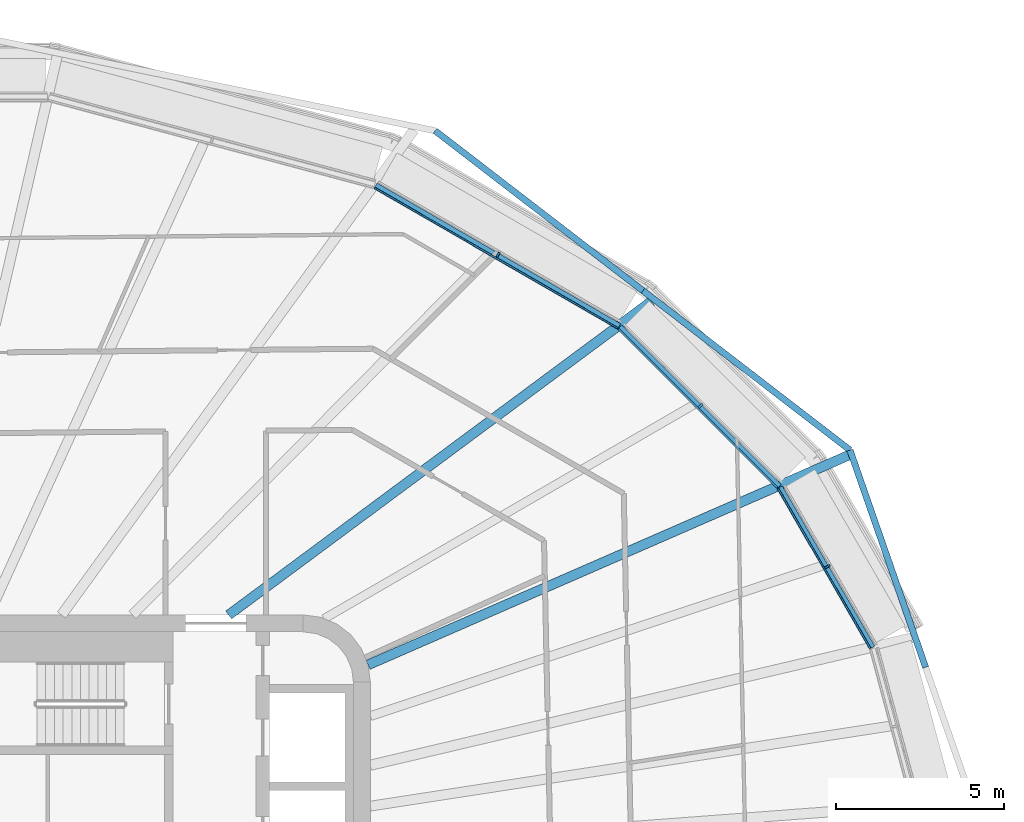
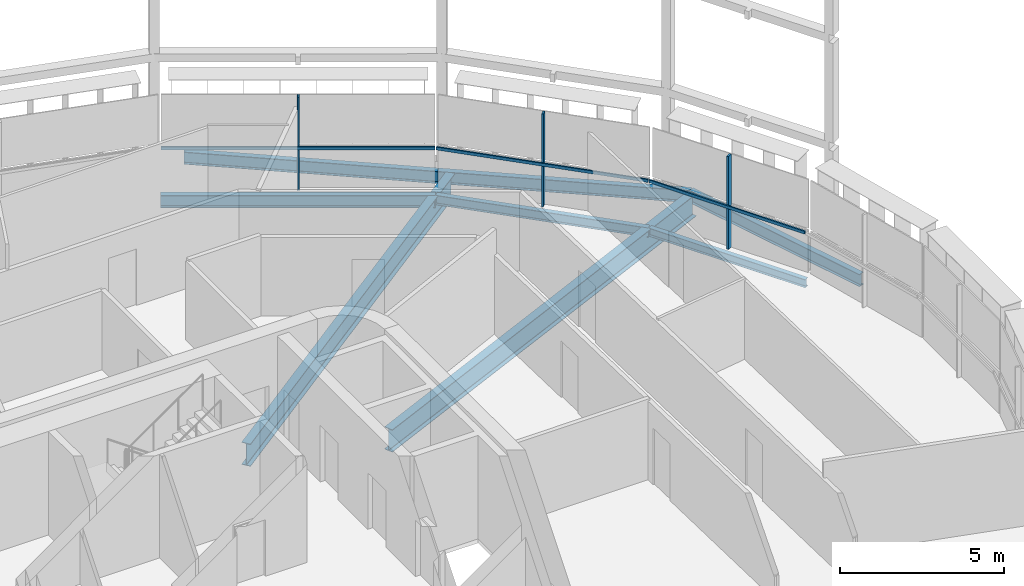
# One storey, part 9 of 24: 8 beams, 6 members, 3 elements without a shape of their own.
"""IFC4 building model written with IfcOpenShell, lengths in metres."""

from ifc_helpers import new_model, si_unit, direction, frame, origin, origin_2d, place, context, subcontext, project, spatial, rectangle, i_section, extrude, material, layer, layer_set, material_profile, profile_set, type_object, element, aggregate, save


model = new_model("IFC4")

# Units and contexts
model_context = context("Model", 3, precision=1e-05, world=origin(), true_north=direction((0.0, 1.0)))
body_context = subcontext(model_context, "Body", "Model", "MODEL_VIEW")
ifc_project = project(units=[si_unit("LENGTHUNIT", "METRE"), si_unit("AREAUNIT", "SQUARE_METRE"), si_unit("VOLUMEUNIT", "CUBIC_METRE"), si_unit("PLANEANGLEUNIT", "RADIAN"), si_unit("MASSUNIT", "GRAM", prefix="KILO")], contexts=[model_context])

# Site, building, storey
site_placement = place(None, origin())
site = spatial("IfcSite", under=ifc_project, at=site_placement, CompositionType="ELEMENT")
building_placement = place(site_placement, origin())
building = spatial("IfcBuilding", under=site, at=building_placement, Name="Sahrelin Media Tower", CompositionType="ELEMENT")
storey_placement = place(building_placement, frame((0.0, 0.0, 153.60009765625)))
storey = spatial("IfcBuildingStorey", under=building, at=storey_placement, Name="L31", CompositionType="ELEMENT", Elevation=153.60009765625)

# Beams
ifc_material_1 = material(Name="Steel S355", Category="steel")
ifc_material_profile_1 = material_profile(ifc_material_1, i_section(OverallWidth=0.1650390625, OverallDepth=0.303466796875, WebThickness=0.006103515625, FlangeThickness=0.01025390625, FilletRadius=0.0087890625, at=origin_2d()), Name="UB 305x165x40")
ifc_profile_set_1 = profile_set([ifc_material_profile_1], Name="Steel S355")
beam_type_1 = type_object("IfcBeamType", Name="Edge beam EB2", PredefinedType="BEAM", material=ifc_profile_set_1)
beam_1_placement = place(storey_placement, frame((27.1826171875, 11.80078125, -0.3017578125), z_axis=(0.499996181239, -0.866027608536, 0.0), x_axis=(0.866027608536, 0.499996181239, 0.0)))
element("IfcBeam", 1, at=beam_1_placement, inside=storey, type_object=beam_type_1, Name="Edge beam L31-23", PredefinedType="BEAM", context=body_context, shape_type="SweptSolid", body=[
    extrude(i_section(OverallWidth=0.1650390625, OverallDepth=0.303466796875, WebThickness=0.006103515625, FlangeThickness=0.01025390625, FilletRadius=0.0087890625, at=origin_2d()), origin(), (0.0, 0.0, 1.0), 5.50732421875),
])
ifc_material_profile_2 = material_profile(ifc_material_1, i_section(OverallWidth=0.17138671875, OverallDepth=0.35498046875, WebThickness=0.00732421875, FlangeThickness=0.011474609375, FilletRadius=0.01025390625, at=origin_2d()), Name="UB 356x171x51")
ifc_profile_set_2 = profile_set([ifc_material_profile_2], Name="Steel S355")
beam_type_2 = type_object("IfcBeamType", Name="Edge beam EB3", PredefinedType="BEAM", material=ifc_profile_set_2)
beam_2_placement = place(storey_placement, frame((22.424072265625, 16.564697265625, -0.32763671875), z_axis=(0.707088574851, -0.707124987054, 0.0), x_axis=(0.707124987054, 0.707088574851, 0.0)))
element("IfcBeam", 2, at=beam_2_placement, inside=storey, type_object=beam_type_2, Name="Edge beam L31-22", PredefinedType="BEAM", context=body_context, shape_type="SweptSolid", body=[
    extrude(i_section(OverallWidth=0.17138671875, OverallDepth=0.35498046875, WebThickness=0.00732421875, FlangeThickness=0.011474609375, FilletRadius=0.01025390625, at=origin_2d()), origin(), (0.0, 0.0, 1.0), 6.704833984375),
])
ifc_material_profile_3 = material_profile(ifc_material_1, i_section(OverallWidth=0.1904296875, OverallDepth=0.45703125, WebThickness=0.009033203125, FlangeThickness=0.014404296875, FilletRadius=0.01025390625, at=origin_2d()), Name="UB 457x191x74")
ifc_profile_set_3 = profile_set([ifc_material_profile_3], Name="Steel S355")
beam_type_3 = type_object("IfcBeamType", Name="Edge beam EB5", PredefinedType="BEAM", material=ifc_profile_set_3)
beam_3_placement = place(storey_placement, frame((15.15087890625, 20.76806640625, -0.378662109375), z_axis=(0.866019985848, -0.500009384024, 0.0), x_axis=(0.500009384024, 0.866019985848, 0.0)))
element("IfcBeam", 3, at=beam_3_placement, inside=storey, type_object=beam_type_3, Name="Edge beam L31-21", PredefinedType="BEAM", context=body_context, shape_type="SweptSolid", body=[
    extrude(i_section(OverallWidth=0.1904296875, OverallDepth=0.45703125, WebThickness=0.009033203125, FlangeThickness=0.014404296875, FilletRadius=0.01025390625, at=origin_2d()), origin(), (0.0, 0.0, 1.0), 8.371826171875),
])

# Curtain wall, member
ifc_material_2 = material(Name="Champagne anodised aluminium 6063-T6", Category="aluminium")
ifc_layer = layer(ifc_material_2, 0.14990234375)
ifc_layer_set = layer_set([ifc_layer], Name="Tower ribbon curtain wall")
curtain_wall_type = type_object("IfcCurtainWallType", Name="Tower ribbon curtain wall", PredefinedType="NOTDEFINED", material=ifc_layer_set)
curtain_wall_1_placement = place(storey_placement, frame((28.689208984375, 9.490966796875, 0.0), z_axis=(0.0, 0.0, 1.0), x_axis=(1.0, 0.0, 0.0)))
curtain_wall_1 = element("IfcCurtainWall", 4, at=curtain_wall_1_placement, inside=storey, type_object=curtain_wall_type, Name="L31:CW:L31-02", PredefinedType="NOTDEFINED")
ifc_material_profile_4 = material_profile(ifc_material_2, rectangle(XDim=0.06005859375, YDim=0.175048828125, at=origin_2d()), Name="Mullion 60x175")
ifc_profile_set_4 = profile_set([ifc_material_profile_4], Name="Champagne anodised aluminium 6063-T6")
member_type_1 = type_object("IfcMemberType", Name="Mullion 60x175 CW1B", PredefinedType="MULLION", material=ifc_profile_set_4)
member_1_placement = place(storey_placement, frame((28.59619140625, 9.437255859375, 0.0), z_axis=(0.0, 0.0, 1.0), x_axis=(-0.4999984885, 0.866026276448, 0.0)))
member_1 = element("IfcMember", 5, at=member_1_placement, type_object=member_type_1, Name="L31:CWM:L31-02", PredefinedType="MULLION", context=body_context, shape_type="SweptSolid", body=[
    extrude(rectangle(XDim=0.06005859375, YDim=0.175048828125, at=origin_2d()), origin(), (0.0, 0.0, 1.0), 3.448486328125),
])

curtain_wall_2_placement = place(storey_placement, frame((24.900634765625, 14.30029296875, 0.0), z_axis=(0.0, 0.0, 1.0), x_axis=(1.0, 0.0, 0.0)))
curtain_wall_2 = element("IfcCurtainWall", 6, at=curtain_wall_2_placement, inside=storey, type_object=curtain_wall_type, Name="L31:CW:L31-03", PredefinedType="NOTDEFINED")
member_2_placement = place(storey_placement, frame((24.824462890625, 14.22412109375, 0.0), z_axis=(0.0, 0.0, 1.0), x_axis=(-0.707106781187, 0.707106781187, 0.0)))
member_2 = element("IfcMember", 7, at=member_2_placement, type_object=member_type_1, Name="L31:CWM:L31-03", PredefinedType="MULLION", context=body_context, shape_type="SweptSolid", body=[
    extrude(rectangle(XDim=0.06005859375, YDim=0.175048828125, at=origin_2d()), origin(), (0.0, 0.0, 1.0), 3.448486328125),
])

curtain_wall_3_placement = place(storey_placement, frame((18.85107421875, 18.804931640625, 0.0), z_axis=(0.0, 0.0, 1.0), x_axis=(1.0, 0.0, 0.0)))
curtain_wall_3 = element("IfcCurtainWall", 8, at=curtain_wall_3_placement, inside=storey, type_object=curtain_wall_type, Name="L31:CW:L31-04", PredefinedType="NOTDEFINED")
member_3_placement = place(storey_placement, frame((18.797119140625, 18.7119140625, 0.0), z_axis=(0.0, 0.0, 1.0), x_axis=(-0.866025403784, 0.5, 0.0)))
member_3 = element("IfcMember", 9, at=member_3_placement, type_object=member_type_1, Name="L31:CWM:L31-04", PredefinedType="MULLION", context=body_context, shape_type="SweptSolid", body=[
    extrude(rectangle(XDim=0.06005859375, YDim=0.175048828125, at=origin_2d()), origin(), (0.0, 0.0, 1.0), 3.448486328125),
])

# Beams
ifc_material_profile_5 = material_profile(ifc_material_1, i_section(OverallWidth=0.291748046875, OverallDepth=0.8349609375, WebThickness=0.013916015625, FlangeThickness=0.018798828125, FilletRadius=0.017822265625, at=origin_2d()), Name="UB 838x292x176")
ifc_profile_set_5 = profile_set([ifc_material_profile_5], Name="Steel S355")
beam_type_4 = type_object("IfcBeamType", Name="Radial primary beam PB10", PredefinedType="BEAM", material=ifc_profile_set_5)
beam_4_placement = place(storey_placement, frame((14.9326171875, 6.51318359375, -0.567626953125), z_axis=(0.916604172492, 0.399795936661, 0.0), x_axis=(-0.399795936661, 0.916604172492, 0.0)))
element("IfcBeam", 10, at=beam_4_placement, inside=storey, type_object=beam_type_4, Name="Radial beam L31-03", PredefinedType="BEAM", context=body_context, shape_type="SweptSolid", body=[
    extrude(i_section(OverallWidth=0.291748046875, OverallDepth=0.8349609375, WebThickness=0.013916015625, FlangeThickness=0.018798828125, FilletRadius=0.017822265625, at=origin_2d()), origin(), (0.0, 0.0, 1.0), 15.592041015625),
])
beam_5_placement = place(storey_placement, frame((10.784423828125, 8.0, -0.567626953125), z_axis=(0.803150241364, 0.59577654351, 0.0), x_axis=(-0.59577654351, 0.803150241364, 0.0)))
element("IfcBeam", 11, at=beam_5_placement, inside=storey, type_object=beam_type_4, Name="Radial beam L31-04", PredefinedType="BEAM", context=body_context, shape_type="SweptSolid", body=[
    extrude(i_section(OverallWidth=0.291748046875, OverallDepth=0.8349609375, WebThickness=0.013916015625, FlangeThickness=0.018798828125, FilletRadius=0.017822265625, at=origin_2d()), origin(), (0.0, 0.0, 1.0), 15.66162109375),
])
ifc_material_profile_6 = material_profile(ifc_material_1, i_section(OverallWidth=0.1904296875, OverallDepth=0.45703125, WebThickness=0.009033203125, FlangeThickness=0.014404296875, FilletRadius=0.01025390625, at=origin_2d()), Name="UB 457x191x74")
ifc_profile_set_6 = profile_set([ifc_material_profile_6], Name="Steel S355")
beam_type_5 = type_object("IfcBeamType", Name="Tie chord TC5", PredefinedType="BEAM", material=ifc_profile_set_6)
beam_6_placement = place(storey_placement, frame((16.92578125, 22.4052734375, -0.378662109375), z_axis=(0.792471623605, -0.609908784804, 0.0), x_axis=(0.609908784804, 0.792471623605, 0.0)))
element("IfcBeam", 12, at=beam_6_placement, inside=storey, type_object=beam_type_5, Name="Tie chord L31-17", PredefinedType="BEAM", context=body_context, shape_type="SweptSolid", body=[
    extrude(i_section(OverallWidth=0.1904296875, OverallDepth=0.45703125, WebThickness=0.009033203125, FlangeThickness=0.014404296875, FilletRadius=0.01025390625, at=origin_2d()), origin(), (0.0, 0.0, 1.0), 7.804443359375),
])
beam_7_placement = place(storey_placement, frame((23.110595703125, 17.645263671875, -0.378662109375), z_axis=(0.7924640011, -0.60991868881, 0.0), x_axis=(0.60991868881, 0.7924640011, 0.0)))
element("IfcBeam", 13, at=beam_7_placement, inside=storey, type_object=beam_type_5, Name="Tie chord L31-18", PredefinedType="BEAM", context=body_context, shape_type="SweptSolid", body=[
    extrude(i_section(OverallWidth=0.1904296875, OverallDepth=0.45703125, WebThickness=0.009033203125, FlangeThickness=0.014404296875, FilletRadius=0.01025390625, at=origin_2d()), origin(), (0.0, 0.0, 1.0), 7.773193359375),
])
beam_8_placement = place(storey_placement, frame((29.2705078125, 12.904296875, -0.378662109375), z_axis=(0.328754464222, -0.944415428852, 0.0), x_axis=(0.944415428852, 0.328754464222, 0.0)))
element("IfcBeam", 14, at=beam_8_placement, inside=storey, type_object=beam_type_5, Name="Tie chord L31-19", PredefinedType="BEAM", context=body_context, shape_type="SweptSolid", body=[
    extrude(i_section(OverallWidth=0.1904296875, OverallDepth=0.45703125, WebThickness=0.009033203125, FlangeThickness=0.014404296875, FilletRadius=0.01025390625, at=origin_2d()), origin(), (0.0, 0.0, 1.0), 6.84326171875),
])

# Member
ifc_material_profile_7 = material_profile(ifc_material_2, rectangle(XDim=0.050048828125, YDim=0.110107421875, at=origin_2d()), Name="Transom 50x110")
ifc_profile_set_7 = profile_set([ifc_material_profile_7], Name="Champagne anodised aluminium 6063-T6")
member_type_2 = type_object("IfcMemberType", Name="Transom 50x110 CW1B", PredefinedType="USERDEFINED", material=ifc_profile_set_7)
member_4_placement = place(storey_placement, frame((29.86767578125, 7.010009765625, 1.599853515625), z_axis=(-0.49998489776, 0.866034122891, 0.0), x_axis=(-0.866034122891, -0.49998489776, 0.0)))
member_4 = element("IfcMember", 15, at=member_4_placement, type_object=member_type_2, Name="L31:CWT:L31-02", ObjectType="TRANSOM", PredefinedType="USERDEFINED", context=body_context, shape_type="SweptSolid", body=[
    extrude(rectangle(XDim=0.050048828125, YDim=0.110107421875, at=origin_2d()), origin(), (0.0, 0.0, 1.0), 5.475830078125),
])

aggregate(curtain_wall_1, [member_1, member_4])

member_5_placement = place(storey_placement, frame((27.1044921875, 11.78515625, 1.599853515625), z_axis=(-0.707125072767, 0.707088489133, 0.0), x_axis=(-0.707088489133, -0.707125072767, 0.0)))
member_5 = element("IfcMember", 16, at=member_5_placement, type_object=member_type_2, Name="L31:CWT:L31-03", ObjectType="TRANSOM", PredefinedType="USERDEFINED", context=body_context, shape_type="SweptSolid", body=[
    extrude(rectangle(XDim=0.050048828125, YDim=0.110107421875, at=origin_2d()), origin(), (0.0, 0.0, 1.0), 6.673583984375),
])

aggregate(curtain_wall_2, [member_2, member_5])

member_6_placement = place(storey_placement, frame((22.3525390625, 16.529296875, 1.599853515625), z_axis=(-0.866018876994, 0.500011304563, 0.0), x_axis=(-0.500011304563, -0.866018876994, 0.0)))
member_6 = element("IfcMember", 17, at=member_6_placement, type_object=member_type_2, Name="L31:CWT:L31-04", ObjectType="TRANSOM", PredefinedType="USERDEFINED", context=body_context, shape_type="SweptSolid", body=[
    extrude(rectangle(XDim=0.050048828125, YDim=0.110107421875, at=origin_2d()), origin(), (0.0, 0.0, 1.0), 8.340576171875),
])

aggregate(curtain_wall_3, [member_3, member_6])

save(model, "model.ifc")
